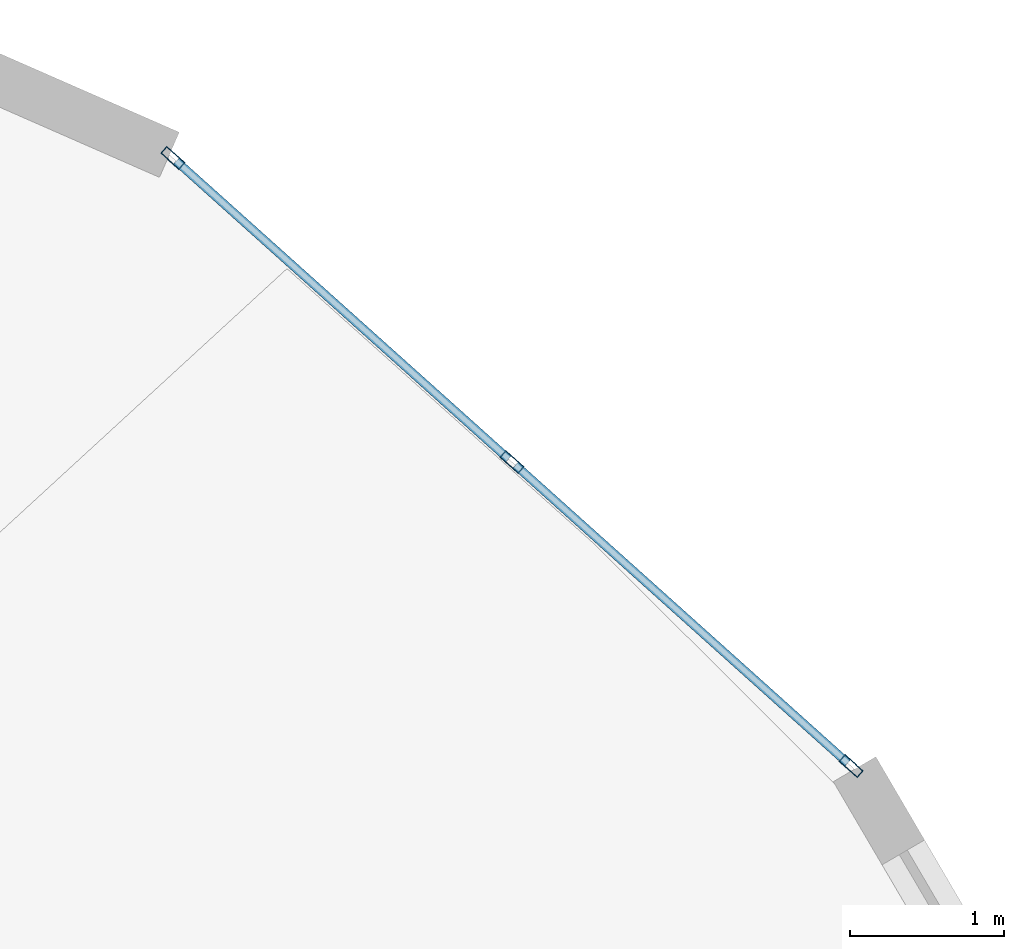
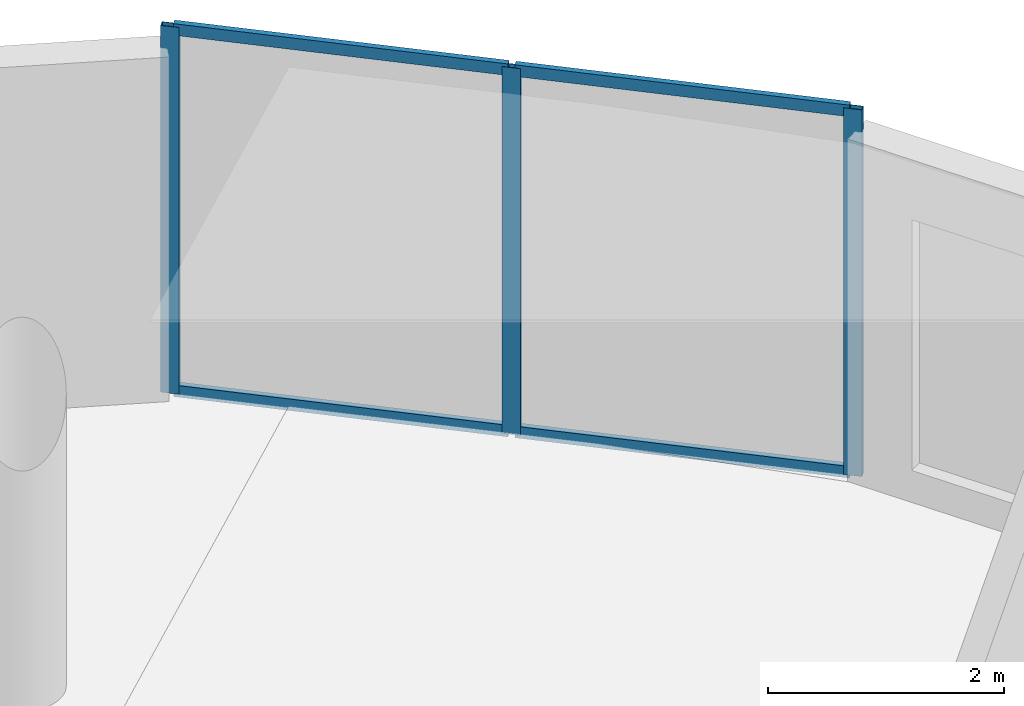
# One storey, part 12 of 19: 7 members, 1 element without a shape of its own.
"""IFC4 building model written with IfcOpenShell, lengths in metres."""

from ifc_helpers import new_model, si_unit, direction, frame, origin, origin_2d, place, context, subcontext, project, spatial, hollow_rectangle, extrude, source, transform, mapped, material, layer, layer_set, material_profile, profile_set, type_object, element, aggregate, save


model = new_model("IFC4")

# Units and contexts
model_context = context("Model", 3, precision=1e-05, world=origin(), true_north=direction((0.0, 1.0)))
body_context = subcontext(model_context, "Body", "Model", "MODEL_VIEW")
ifc_project = project(units=[si_unit("LENGTHUNIT", "METRE"), si_unit("AREAUNIT", "SQUARE_METRE"), si_unit("VOLUMEUNIT", "CUBIC_METRE"), si_unit("PLANEANGLEUNIT", "RADIAN"), si_unit("MASSUNIT", "GRAM", prefix="KILO")], contexts=[model_context])

# Site, building, storey
site_placement = place(None, origin())
site = spatial("IfcSite", under=ifc_project, at=site_placement, CompositionType="ELEMENT")
building_placement = place(site_placement, origin())
building = spatial("IfcBuilding", under=site, at=building_placement, Name="Solvirekh Grand Hotel", CompositionType="ELEMENT")
storey_placement = place(building_placement, frame((0.0, 0.0, 266.800048828125)))
storey = spatial("IfcBuildingStorey", under=building, at=storey_placement, Name="L69", CompositionType="ELEMENT", Elevation=266.800048828125)

# Curtain wall, members
ifc_material = material(Name="Anodized Bronze Aluminium 6063-T6", Category="aluminium")
ifc_layer = layer(ifc_material, 0.159912109375)
ifc_layer_set = layer_set([ifc_layer], Name="Anodized Bronze Aluminium 6063-T6")
curtain_wall_type = type_object("IfcCurtainWallType", Name="CW_Sys4_HighZoneFlushBronzeCW", PredefinedType="NOTDEFINED", material=ifc_layer_set)
curtain_wall_placement = place(storey_placement, origin())
curtain_wall = element("IfcCurtainWall", 1, at=curtain_wall_placement, inside=storey, type_object=curtain_wall_type, Name="L69 unitised bronze-glass curtain wall CW-L69-C08", PredefinedType="NOTDEFINED")
ifc_material_profile_1 = material_profile(ifc_material, hollow_rectangle(XDim=0.06005859375, YDim=0.159912109375, WallThickness=0.0048828125, at=origin_2d()), Name="ALU RHS 160X60X5")
ifc_profile_set_1 = profile_set([ifc_material_profile_1], Name="Anodized Bronze Aluminium 6063-T6")
member_type_1 = type_object("IfcMemberType", Name="CWMullion_Sys4", PredefinedType="MULLION", material=ifc_profile_set_1)
shared_shape_1 = source(origin(), body_context, "Body", "SweptSolid", [
    extrude(hollow_rectangle(XDim=0.06005859375, YDim=0.159912109375, WallThickness=0.0048828125, at=origin_2d()), origin(), (0.0, 0.0, 1.0), 3.800048828125),
])
member_1_placement = place(storey_placement, frame((15.40771484375, 12.572021484375, 0.0), z_axis=(0.0, 0.0, 1.0), x_axis=(-0.667541821452, -0.744572304489, 0.0)))
member_1 = element("IfcMember", 2, at=member_1_placement, type_object=member_type_1, Name="U04 mullion 1", PredefinedType="MULLION", context=body_context, shape_type="MappedRepresentation", body=[
    mapped(shared_shape_1, transform((0.0, 0.0, 0.0), x_axis=(1.0, 0.0, 0.0), y_axis=(0.0, 1.0, 0.0), z_axis=(0.0, 0.0, 1.0), scale=1.0)),
])
member_2_placement = place(storey_placement, frame((13.201904296875, 14.549560546875, 0.0), z_axis=(0.0, 0.0, 1.0), x_axis=(-0.667541821452, -0.744572304489, 0.0)))
member_2 = element("IfcMember", 3, at=member_2_placement, type_object=member_type_1, Name="U04 mullion 2", PredefinedType="MULLION", context=body_context, shape_type="MappedRepresentation", body=[
    mapped(shared_shape_1, transform((0.0, 0.0, 0.0), x_axis=(1.0, 0.0, 0.0), y_axis=(0.0, 1.0, 0.0), z_axis=(0.0, 0.0, 1.0), scale=1.0)),
])
member_3_placement = place(storey_placement, frame((10.996337890625, 16.52685546875, 0.0), z_axis=(0.0, 0.0, 1.0), x_axis=(-0.667541821452, -0.744572304489, 0.0)))
member_3 = element("IfcMember", 4, at=member_3_placement, type_object=member_type_1, Name="U04 mullion 3", PredefinedType="MULLION", context=body_context, shape_type="MappedRepresentation", body=[
    mapped(shared_shape_1, transform((0.0, 0.0, 0.0), x_axis=(1.0, 0.0, 0.0), y_axis=(0.0, 1.0, 0.0), z_axis=(0.0, 0.0, 1.0), scale=1.0)),
])
ifc_material_profile_2 = material_profile(ifc_material, hollow_rectangle(XDim=0.054931640625, YDim=0.1201171875, WallThickness=0.00390625, at=origin_2d()), Name="ALU RHS 120X55X4")
ifc_profile_set_2 = profile_set([ifc_material_profile_2], Name="Anodized Bronze Aluminium 6063-T6")
member_type_2 = type_object("IfcMemberType", Name="CWTransom_Sys4", PredefinedType="USERDEFINED", material=ifc_profile_set_2)
shared_shape_2 = source(origin(), body_context, "Body", "SweptSolid", [
    extrude(hollow_rectangle(XDim=0.054931640625, YDim=0.1201171875, WallThickness=0.00390625, at=origin_2d()), origin(), (0.0, 0.0, 1.0), 2.90234375),
])
member_4_placement = place(storey_placement, frame((15.38525390625, 12.592041015625, 0.02734375), z_axis=(-0.744543488851, 0.667573960854, 0.0), x_axis=(-0.667573960854, -0.744543488851, 0.0)))
member_4 = element("IfcMember", 5, at=member_4_placement, type_object=member_type_2, Name="U04 transom 1.1", ObjectType="TRANSOM", PredefinedType="USERDEFINED", context=body_context, shape_type="MappedRepresentation", body=[
    mapped(shared_shape_2, transform((0.0, 0.0, 0.0), x_axis=(1.0, 0.0, 0.0), y_axis=(0.0, 1.0, 0.0), z_axis=(0.0, 0.0, 1.0), scale=1.0)),
])
member_5_placement = place(storey_placement, frame((15.38525390625, 12.592041015625, 3.7724609375), z_axis=(-0.744543488851, 0.667573960854, 0.0), x_axis=(-0.667573960854, -0.744543488851, 0.0)))
member_5 = element("IfcMember", 6, at=member_5_placement, type_object=member_type_2, Name="U04 transom 1.2", ObjectType="TRANSOM", PredefinedType="USERDEFINED", context=body_context, shape_type="MappedRepresentation", body=[
    mapped(shared_shape_2, transform((0.0, 0.0, 0.0), x_axis=(1.0, 0.0, 0.0), y_axis=(0.0, 1.0, 0.0), z_axis=(0.0, 0.0, 1.0), scale=1.0)),
])
member_6_placement = place(storey_placement, frame((13.1796875, 14.569580078125, 0.02734375), z_axis=(-0.744622782125, 0.667485514704, 0.0), x_axis=(-0.667485514704, -0.744622782125, 0.0)))
member_6 = element("IfcMember", 7, at=member_6_placement, type_object=member_type_2, Name="U04 transom 2.1", ObjectType="TRANSOM", PredefinedType="USERDEFINED", context=body_context, shape_type="MappedRepresentation", body=[
    mapped(shared_shape_2, transform((0.0, 0.0, 0.0), x_axis=(1.0, 0.0, 0.0), y_axis=(0.0, 1.0, 0.0), z_axis=(0.0, 0.0, 1.0), scale=1.0)),
])
member_7_placement = place(storey_placement, frame((13.1796875, 14.569580078125, 3.7724609375), z_axis=(-0.744622782125, 0.667485514704, 0.0), x_axis=(-0.667485514704, -0.744622782125, 0.0)))
member_7 = element("IfcMember", 8, at=member_7_placement, type_object=member_type_2, Name="U04 transom 2.2", ObjectType="TRANSOM", PredefinedType="USERDEFINED", context=body_context, shape_type="MappedRepresentation", body=[
    mapped(shared_shape_2, transform((0.0, 0.0, 0.0), x_axis=(1.0, 0.0, 0.0), y_axis=(0.0, 1.0, 0.0), z_axis=(0.0, 0.0, 1.0), scale=1.0)),
])
aggregate(curtain_wall, [member_1, member_2, member_3, member_4, member_5, member_6, member_7])

save(model, "model.ifc")
